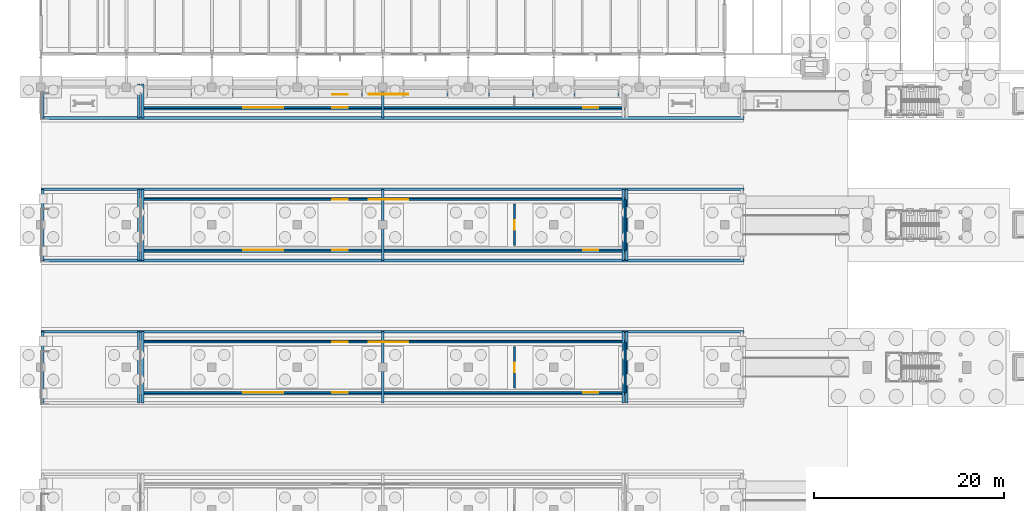
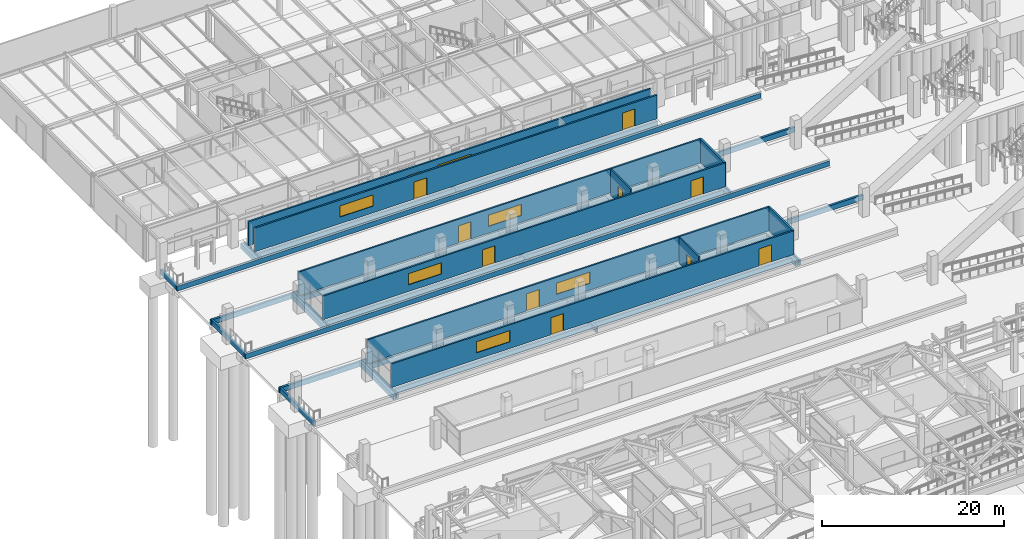
# One storey, part 102 of 160: 35 walls, 11 doors, 6 windows, 17 openings.
"""IFC4 building model written with IfcOpenShell, lengths in metres."""

from ifc_helpers import new_model, si_unit, direction, frame, frame_2d, origin, place, context, subcontext, project, spatial, rectangle, extrude, material, layer, layer_set, type_object, element, fill, save


model = new_model("IFC4")

# Units and contexts
model_context = context("Model", 3, precision=1e-05, world=origin(), true_north=direction((0.0, 1.0)))
body_context = subcontext(model_context, "Body", "Model", "MODEL_VIEW")
ifc_project = project(units=[si_unit("LENGTHUNIT", "METRE"), si_unit("AREAUNIT", "SQUARE_METRE"), si_unit("VOLUMEUNIT", "CUBIC_METRE"), si_unit("PLANEANGLEUNIT", "RADIAN"), si_unit("MASSUNIT", "GRAM", prefix="KILO")], contexts=[model_context])

# Site, building, storey
site_placement = place(None, origin())
site = spatial("IfcSite", under=ifc_project, at=site_placement, CompositionType="ELEMENT")
building_placement = place(site_placement, origin())
building = spatial("IfcBuilding", under=site, at=building_placement, Name="Marlcrest Central Station", CompositionType="ELEMENT")
storey_placement = place(building_placement, origin())
storey = spatial("IfcBuildingStorey", under=building, at=storey_placement, Name="L00", CompositionType="ELEMENT", Elevation=0.0)

# Wall, openings, doors, window
ifc_material_1 = material(Name="Concrete C35/45", Category="concrete")
ifc_layer_1 = layer(ifc_material_1, 0.2099609375, Name="EW-08")
ifc_layer_set_1 = layer_set([ifc_layer_1], Name="Concrete C35/45")
wall_type_1 = type_object("IfcWallType", Name="EW-08", PredefinedType="SOLIDWALL", material=ifc_layer_set_1)
wall_1_placement = place(storey_placement, frame((61.5, 63.35009765625, 0.9150390625), z_axis=(0.0, 0.0, 1.0), x_axis=(-1.0, 0.0, 0.0)))
wall_1 = element("IfcWall", 1, at=wall_1_placement, inside=storey, type_object=wall_type_1, Name="ewall-L00-0227", PredefinedType="SOLIDWALL", context=body_context, shape_type="SweptSolid", body=[
    extrude(rectangle(XDim=51.0, YDim=0.2099609375, at=frame_2d((25.5, 0.0))), origin(), (0.0, 0.0, 1.0), 3.18505859375),
])
opening_1_placement = place(wall_1_placement, frame((29.199951171875, 0.0, 0.0)))
opening_1 = element("IfcOpeningElement", 2, at=opening_1_placement, cuts=wall_1, Name="Opening ED-05", PredefinedType="OPENING", context=body_context, shape_type="SweptSolid", body=[
    extrude(rectangle(XDim=1.60009765625, YDim=2.300048828125, at=frame_2d((0.800048828125, 1.14990234375))), frame((0.0, 0.114990234375, 0.0), z_axis=(0.0, -1.0, 0.0), x_axis=(1.0, 0.0, 0.0)), (0.0, 0.0, 1.0), 0.22998046875),
])
opening_2_placement = place(wall_1_placement, frame((2.800048828125, 0.0, 0.0)))
opening_2 = element("IfcOpeningElement", 3, at=opening_2_placement, cuts=wall_1, Name="Opening ED-05", PredefinedType="OPENING", context=body_context, shape_type="SweptSolid", body=[
    extrude(rectangle(XDim=1.60009765625, YDim=2.300048828125, at=frame_2d((0.800048828125, 1.14990234375))), frame((0.0, 0.114990234375, 0.0), z_axis=(0.0, -1.0, 0.0), x_axis=(1.0, 0.0, 0.0)), (0.0, 0.0, 1.0), 0.22998046875),
])
opening_3_placement = place(wall_1_placement, frame((36.0, 0.0, 0.89990234375)))
opening_3 = element("IfcOpeningElement", 4, at=opening_3_placement, cuts=wall_1, Name="Opening WN-12", PredefinedType="OPENING", context=body_context, shape_type="SweptSolid", body=[
    extrude(rectangle(XDim=4.199951171875, YDim=1.5, at=frame_2d((2.10009765625, 0.75))), frame((0.0, 0.114990234375, 0.0), z_axis=(0.0, -1.0, 0.0), x_axis=(1.0, 0.0, 0.0)), (0.0, 0.0, 1.0), 0.22998046875),
])
ifc_material_2 = material(Name="Thermally broken anodised aluminium and laminated safety glass", Category="aluminium")
door_type_1 = type_object("IfcDoorType", Name="ED-05", OperationType="DOUBLE_DOOR_SINGLE_SWING", PredefinedType="DOOR", material=ifc_material_2)
door_1_placement = place(opening_1_placement, origin())
door_1 = element("IfcDoor", 5, at=door_1_placement, inside=storey, type_object=door_type_1, Name="Platform 3 W South Lounge Door 057", OperationType="DOUBLE_DOOR_SINGLE_SWING", OverallHeight=2.300048828125, OverallWidth=1.60009765625, PredefinedType="DOOR", context=body_context, shape_type="SweptSolid", body=[
    extrude(rectangle(XDim=1.60009765625, YDim=2.300048828125, at=frame_2d((0.800048828125, 1.14990234375))), frame((0.0, 0.02490234375, 0.0), z_axis=(0.0, -1.0, 0.0), x_axis=(1.0, 0.0, 0.0)), (0.0, 0.0, 1.0), 0.050048828125),
])
fill(opening_1, door_1)
door_2_placement = place(opening_2_placement, origin())
door_2 = element("IfcDoor", 6, at=door_2_placement, inside=storey, type_object=door_type_1, Name="Platform 3 W Pod Door 058", OperationType="DOUBLE_DOOR_SINGLE_SWING", OverallHeight=2.300048828125, OverallWidth=1.60009765625, PredefinedType="DOOR", context=body_context, shape_type="SweptSolid", body=[
    extrude(rectangle(XDim=1.60009765625, YDim=2.300048828125, at=frame_2d((0.800048828125, 1.14990234375))), frame((0.0, 0.02490234375, 0.0), z_axis=(0.0, -1.0, 0.0), x_axis=(1.0, 0.0, 0.0)), (0.0, 0.0, 1.0), 0.050048828125),
])
fill(opening_2, door_2)
ifc_material_3 = material(Name="Thermally broken bronze-anodised aluminium and laminated low-E glass", Category="aluminium")
window_type = type_object("IfcWindowType", Name="WN-12", PartitioningType="SINGLE_PANEL", PredefinedType="WINDOW", material=ifc_material_3)
window_1_placement = place(opening_3_placement, origin())
window_1 = element("IfcWindow", 7, at=window_1_placement, inside=storey, type_object=window_type, Name="ewin-L00-0176", OverallHeight=1.5, OverallWidth=4.199951171875, PartitioningType="SINGLE_PANEL", PredefinedType="WINDOW", context=body_context, shape_type="SweptSolid", body=[
    extrude(rectangle(XDim=4.199951171875, YDim=1.5, at=frame_2d((2.10009765625, 0.75))), frame((0.0, 0.030029296875, 0.0), z_axis=(0.0, -1.0, 0.0), x_axis=(1.0, 0.0, 0.0)), (0.0, 0.0, 1.0), 0.06005859375),
])
fill(opening_3, window_1)

# Wall, openings, door, window
wall_2_placement = place(storey_placement, frame((10.5, 68.64990234375, 0.9150390625), z_axis=(0.0, 0.0, 1.0), x_axis=(1.0, 0.0, 0.0)))
wall_2 = element("IfcWall", 8, at=wall_2_placement, inside=storey, type_object=wall_type_1, Name="ewall-L00-0228", PredefinedType="SOLIDWALL", context=body_context, shape_type="SweptSolid", body=[
    extrude(rectangle(XDim=51.0, YDim=0.2099609375, at=frame_2d((25.5, 0.0))), origin(), (0.0, 0.0, 1.0), 3.18505859375),
])
opening_4_placement = place(wall_2_placement, frame((20.199951171875, 0.0, 0.0)))
opening_4 = element("IfcOpeningElement", 9, at=opening_4_placement, cuts=wall_2, Name="Opening ED-05", PredefinedType="OPENING", context=body_context, shape_type="SweptSolid", body=[
    extrude(rectangle(XDim=1.60009765625, YDim=2.300048828125, at=frame_2d((0.800048828125, 1.14990234375))), frame((0.0, 0.114990234375, 0.0), z_axis=(0.0, -1.0, 0.0), x_axis=(1.0, 0.0, 0.0)), (0.0, 0.0, 1.0), 0.22998046875),
])
opening_5_placement = place(wall_2_placement, frame((24.0, 0.0, 0.89990234375)))
opening_5 = element("IfcOpeningElement", 10, at=opening_5_placement, cuts=wall_2, Name="Opening WN-12", PredefinedType="OPENING", context=body_context, shape_type="SweptSolid", body=[
    extrude(rectangle(XDim=4.199951171875, YDim=1.5, at=frame_2d((2.10009765625, 0.75))), frame((0.0, 0.114990234375, 0.0), z_axis=(0.0, -1.0, 0.0), x_axis=(1.0, 0.0, 0.0)), (0.0, 0.0, 1.0), 0.22998046875),
])
door_3_placement = place(opening_4_placement, origin())
door_3 = element("IfcDoor", 11, at=door_3_placement, inside=storey, type_object=door_type_1, Name="Platform 3 W North Lounge Door 059", OperationType="DOUBLE_DOOR_SINGLE_SWING", OverallHeight=2.300048828125, OverallWidth=1.60009765625, PredefinedType="DOOR", context=body_context, shape_type="SweptSolid", body=[
    extrude(rectangle(XDim=1.60009765625, YDim=2.300048828125, at=frame_2d((0.800048828125, 1.14990234375))), frame((0.0, 0.02490234375, 0.0), z_axis=(0.0, -1.0, 0.0), x_axis=(1.0, 0.0, 0.0)), (0.0, 0.0, 1.0), 0.050048828125),
])
fill(opening_4, door_3)
window_2_placement = place(opening_5_placement, origin())
window_2 = element("IfcWindow", 12, at=window_2_placement, inside=storey, type_object=window_type, Name="ewin-L00-0177", OverallHeight=1.5, OverallWidth=4.199951171875, PartitioningType="SINGLE_PANEL", PredefinedType="WINDOW", context=body_context, shape_type="SweptSolid", body=[
    extrude(rectangle(XDim=4.199951171875, YDim=1.5, at=frame_2d((2.10009765625, 0.75))), frame((0.0, 0.030029296875, 0.0), z_axis=(0.0, -1.0, 0.0), x_axis=(1.0, 0.0, 0.0)), (0.0, 0.0, 1.0), 0.06005859375),
])
fill(opening_5, window_2)

# Wall
wall_3_placement = place(storey_placement, frame((61.5, 68.64990234375, 0.9150390625), z_axis=(0.0, 0.0, 1.0), x_axis=(0.0, -1.0, 0.0)))
element("IfcWall", 13, at=wall_3_placement, inside=storey, type_object=wall_type_1, Name="ewall-L00-0229", PredefinedType="SOLIDWALL", context=body_context, shape_type="SweptSolid", body=[
    extrude(rectangle(XDim=5.2998046875, YDim=0.2099609375, at=frame_2d((2.64990234375, 0.0))), origin(), (0.0, 0.0, 1.0), 3.18505859375),
])

# Wall, openings, doors, window
wall_4_placement = place(storey_placement, frame((61.5, 78.35009765625, 0.9150390625), z_axis=(0.0, 0.0, 1.0), x_axis=(-1.0, 0.0, 0.0)))
wall_4 = element("IfcWall", 14, at=wall_4_placement, inside=storey, type_object=wall_type_1, Name="ewall-L00-0233", PredefinedType="SOLIDWALL", context=body_context, shape_type="SweptSolid", body=[
    extrude(rectangle(XDim=51.0, YDim=0.2099609375, at=frame_2d((25.5, 0.0))), origin(), (0.0, 0.0, 1.0), 3.18505859375),
])
opening_6_placement = place(wall_4_placement, frame((29.199951171875, 0.0, 0.0)))
opening_6 = element("IfcOpeningElement", 15, at=opening_6_placement, cuts=wall_4, Name="Opening ED-05", PredefinedType="OPENING", context=body_context, shape_type="SweptSolid", body=[
    extrude(rectangle(XDim=1.60009765625, YDim=2.300048828125, at=frame_2d((0.800048828125, 1.14990234375))), frame((0.0, 0.114990234375, 0.0), z_axis=(0.0, -1.0, 0.0), x_axis=(1.0, 0.0, 0.0)), (0.0, 0.0, 1.0), 0.22998046875),
])
opening_7_placement = place(wall_4_placement, frame((2.800048828125, 0.0, 0.0)))
opening_7 = element("IfcOpeningElement", 16, at=opening_7_placement, cuts=wall_4, Name="Opening ED-05", PredefinedType="OPENING", context=body_context, shape_type="SweptSolid", body=[
    extrude(rectangle(XDim=1.60009765625, YDim=2.300048828125, at=frame_2d((0.800048828125, 1.14990234375))), frame((0.0, 0.114990234375, 0.0), z_axis=(0.0, -1.0, 0.0), x_axis=(1.0, 0.0, 0.0)), (0.0, 0.0, 1.0), 0.22998046875),
])
opening_8_placement = place(wall_4_placement, frame((36.0, 0.0, 0.89990234375)))
opening_8 = element("IfcOpeningElement", 17, at=opening_8_placement, cuts=wall_4, Name="Opening WN-12", PredefinedType="OPENING", context=body_context, shape_type="SweptSolid", body=[
    extrude(rectangle(XDim=4.199951171875, YDim=1.5, at=frame_2d((2.10009765625, 0.75))), frame((0.0, 0.114990234375, 0.0), z_axis=(0.0, -1.0, 0.0), x_axis=(1.0, 0.0, 0.0)), (0.0, 0.0, 1.0), 0.22998046875),
])
door_4_placement = place(opening_6_placement, origin())
door_4 = element("IfcDoor", 18, at=door_4_placement, inside=storey, type_object=door_type_1, Name="Platform 4 W South Lounge Door 063", OperationType="DOUBLE_DOOR_SINGLE_SWING", OverallHeight=2.300048828125, OverallWidth=1.60009765625, PredefinedType="DOOR", context=body_context, shape_type="SweptSolid", body=[
    extrude(rectangle(XDim=1.60009765625, YDim=2.300048828125, at=frame_2d((0.800048828125, 1.14990234375))), frame((0.0, 0.02490234375, 0.0), z_axis=(0.0, -1.0, 0.0), x_axis=(1.0, 0.0, 0.0)), (0.0, 0.0, 1.0), 0.050048828125),
])
fill(opening_6, door_4)
door_5_placement = place(opening_7_placement, origin())
door_5 = element("IfcDoor", 19, at=door_5_placement, inside=storey, type_object=door_type_1, Name="Platform 4 W Pod Door 064", OperationType="DOUBLE_DOOR_SINGLE_SWING", OverallHeight=2.300048828125, OverallWidth=1.60009765625, PredefinedType="DOOR", context=body_context, shape_type="SweptSolid", body=[
    extrude(rectangle(XDim=1.60009765625, YDim=2.300048828125, at=frame_2d((0.800048828125, 1.14990234375))), frame((0.0, 0.02490234375, 0.0), z_axis=(0.0, -1.0, 0.0), x_axis=(1.0, 0.0, 0.0)), (0.0, 0.0, 1.0), 0.050048828125),
])
fill(opening_7, door_5)
window_3_placement = place(opening_8_placement, origin())
window_3 = element("IfcWindow", 20, at=window_3_placement, inside=storey, type_object=window_type, Name="ewin-L00-0180", OverallHeight=1.5, OverallWidth=4.199951171875, PartitioningType="SINGLE_PANEL", PredefinedType="WINDOW", context=body_context, shape_type="SweptSolid", body=[
    extrude(rectangle(XDim=4.199951171875, YDim=1.5, at=frame_2d((2.10009765625, 0.75))), frame((0.0, 0.030029296875, 0.0), z_axis=(0.0, -1.0, 0.0), x_axis=(1.0, 0.0, 0.0)), (0.0, 0.0, 1.0), 0.06005859375),
])
fill(opening_8, window_3)

# Wall, openings, door, window
wall_5_placement = place(storey_placement, frame((10.5, 83.64990234375, 0.9150390625), z_axis=(0.0, 0.0, 1.0), x_axis=(1.0, 0.0, 0.0)))
wall_5 = element("IfcWall", 21, at=wall_5_placement, inside=storey, type_object=wall_type_1, Name="ewall-L00-0234", PredefinedType="SOLIDWALL", context=body_context, shape_type="SweptSolid", body=[
    extrude(rectangle(XDim=51.0, YDim=0.2099609375, at=frame_2d((25.5, 0.0))), origin(), (0.0, 0.0, 1.0), 3.18505859375),
])
opening_9_placement = place(wall_5_placement, frame((20.199951171875, 0.0, 0.0)))
opening_9 = element("IfcOpeningElement", 22, at=opening_9_placement, cuts=wall_5, Name="Opening ED-05", PredefinedType="OPENING", context=body_context, shape_type="SweptSolid", body=[
    extrude(rectangle(XDim=1.60009765625, YDim=2.300048828125, at=frame_2d((0.800048828125, 1.14990234375))), frame((0.0, 0.114990234375, 0.0), z_axis=(0.0, -1.0, 0.0), x_axis=(1.0, 0.0, 0.0)), (0.0, 0.0, 1.0), 0.22998046875),
])
opening_10_placement = place(wall_5_placement, frame((24.0, 0.0, 0.89990234375)))
opening_10 = element("IfcOpeningElement", 23, at=opening_10_placement, cuts=wall_5, Name="Opening WN-12", PredefinedType="OPENING", context=body_context, shape_type="SweptSolid", body=[
    extrude(rectangle(XDim=4.199951171875, YDim=1.5, at=frame_2d((2.10009765625, 0.75))), frame((0.0, 0.114990234375, 0.0), z_axis=(0.0, -1.0, 0.0), x_axis=(1.0, 0.0, 0.0)), (0.0, 0.0, 1.0), 0.22998046875),
])
door_6_placement = place(opening_9_placement, origin())
door_6 = element("IfcDoor", 24, at=door_6_placement, inside=storey, type_object=door_type_1, Name="Platform 4 W North Lounge Door 065", OperationType="DOUBLE_DOOR_SINGLE_SWING", OverallHeight=2.300048828125, OverallWidth=1.60009765625, PredefinedType="DOOR", context=body_context, shape_type="SweptSolid", body=[
    extrude(rectangle(XDim=1.60009765625, YDim=2.300048828125, at=frame_2d((0.800048828125, 1.14990234375))), frame((0.0, 0.02490234375, 0.0), z_axis=(0.0, -1.0, 0.0), x_axis=(1.0, 0.0, 0.0)), (0.0, 0.0, 1.0), 0.050048828125),
])
fill(opening_9, door_6)
window_4_placement = place(opening_10_placement, origin())
window_4 = element("IfcWindow", 25, at=window_4_placement, inside=storey, type_object=window_type, Name="ewin-L00-0181", OverallHeight=1.5, OverallWidth=4.199951171875, PartitioningType="SINGLE_PANEL", PredefinedType="WINDOW", context=body_context, shape_type="SweptSolid", body=[
    extrude(rectangle(XDim=4.199951171875, YDim=1.5, at=frame_2d((2.10009765625, 0.75))), frame((0.0, 0.030029296875, 0.0), z_axis=(0.0, -1.0, 0.0), x_axis=(1.0, 0.0, 0.0)), (0.0, 0.0, 1.0), 0.06005859375),
])
fill(opening_10, window_4)

# Wall
wall_6_placement = place(storey_placement, frame((61.5, 83.64990234375, 0.9150390625), z_axis=(0.0, 0.0, 1.0), x_axis=(0.0, -1.0, 0.0)))
element("IfcWall", 26, at=wall_6_placement, inside=storey, type_object=wall_type_1, Name="ewall-L00-0235", PredefinedType="SOLIDWALL", context=body_context, shape_type="SweptSolid", body=[
    extrude(rectangle(XDim=5.2998046875, YDim=0.2099609375, at=frame_2d((2.64990234375, 0.0))), origin(), (0.0, 0.0, 1.0), 3.18505859375),
])

# Wall, openings, doors, window
wall_7_placement = place(storey_placement, frame((61.5, 93.35009765625, 0.9150390625), z_axis=(0.0, 0.0, 1.0), x_axis=(-1.0, 0.0, 0.0)))
wall_7 = element("IfcWall", 27, at=wall_7_placement, inside=storey, type_object=wall_type_1, Name="ewall-L00-0239", PredefinedType="SOLIDWALL", context=body_context, shape_type="SweptSolid", body=[
    extrude(rectangle(XDim=51.0, YDim=0.2099609375, at=frame_2d((25.5, 0.0))), origin(), (0.0, 0.0, 1.0), 3.18505859375),
])
opening_11_placement = place(wall_7_placement, frame((29.199951171875, 0.0, 0.0)))
opening_11 = element("IfcOpeningElement", 28, at=opening_11_placement, cuts=wall_7, Name="Opening ED-05", PredefinedType="OPENING", context=body_context, shape_type="SweptSolid", body=[
    extrude(rectangle(XDim=1.60009765625, YDim=2.300048828125, at=frame_2d((0.800048828125, 1.14990234375))), frame((0.0, 0.114990234375, 0.0), z_axis=(0.0, -1.0, 0.0), x_axis=(1.0, 0.0, 0.0)), (0.0, 0.0, 1.0), 0.22998046875),
])
opening_12_placement = place(wall_7_placement, frame((2.800048828125, 0.0, 0.0)))
opening_12 = element("IfcOpeningElement", 29, at=opening_12_placement, cuts=wall_7, Name="Opening ED-05", PredefinedType="OPENING", context=body_context, shape_type="SweptSolid", body=[
    extrude(rectangle(XDim=1.60009765625, YDim=2.300048828125, at=frame_2d((0.800048828125, 1.14990234375))), frame((0.0, 0.114990234375, 0.0), z_axis=(0.0, -1.0, 0.0), x_axis=(1.0, 0.0, 0.0)), (0.0, 0.0, 1.0), 0.22998046875),
])
opening_13_placement = place(wall_7_placement, frame((36.0, 0.0, 0.89990234375)))
opening_13 = element("IfcOpeningElement", 30, at=opening_13_placement, cuts=wall_7, Name="Opening WN-12", PredefinedType="OPENING", context=body_context, shape_type="SweptSolid", body=[
    extrude(rectangle(XDim=4.199951171875, YDim=1.5, at=frame_2d((2.10009765625, 0.75))), frame((0.0, 0.114990234375, 0.0), z_axis=(0.0, -1.0, 0.0), x_axis=(1.0, 0.0, 0.0)), (0.0, 0.0, 1.0), 0.22998046875),
])
door_7_placement = place(opening_11_placement, origin())
door_7 = element("IfcDoor", 31, at=door_7_placement, inside=storey, type_object=door_type_1, Name="Platform 5 W South Lounge Door 069", OperationType="DOUBLE_DOOR_SINGLE_SWING", OverallHeight=2.300048828125, OverallWidth=1.60009765625, PredefinedType="DOOR", context=body_context, shape_type="SweptSolid", body=[
    extrude(rectangle(XDim=1.60009765625, YDim=2.300048828125, at=frame_2d((0.800048828125, 1.14990234375))), frame((0.0, 0.02490234375, 0.0), z_axis=(0.0, -1.0, 0.0), x_axis=(1.0, 0.0, 0.0)), (0.0, 0.0, 1.0), 0.050048828125),
])
fill(opening_11, door_7)
door_8_placement = place(opening_12_placement, origin())
door_8 = element("IfcDoor", 32, at=door_8_placement, inside=storey, type_object=door_type_1, Name="Platform 5 W Pod Door 070", OperationType="DOUBLE_DOOR_SINGLE_SWING", OverallHeight=2.300048828125, OverallWidth=1.60009765625, PredefinedType="DOOR", context=body_context, shape_type="SweptSolid", body=[
    extrude(rectangle(XDim=1.60009765625, YDim=2.300048828125, at=frame_2d((0.800048828125, 1.14990234375))), frame((0.0, 0.02490234375, 0.0), z_axis=(0.0, -1.0, 0.0), x_axis=(1.0, 0.0, 0.0)), (0.0, 0.0, 1.0), 0.050048828125),
])
fill(opening_12, door_8)
window_5_placement = place(opening_13_placement, origin())
window_5 = element("IfcWindow", 33, at=window_5_placement, inside=storey, type_object=window_type, Name="ewin-L00-0184", OverallHeight=1.5, OverallWidth=4.199951171875, PartitioningType="SINGLE_PANEL", PredefinedType="WINDOW", context=body_context, shape_type="SweptSolid", body=[
    extrude(rectangle(XDim=4.199951171875, YDim=1.5, at=frame_2d((2.10009765625, 0.75))), frame((0.0, 0.030029296875, 0.0), z_axis=(0.0, -1.0, 0.0), x_axis=(1.0, 0.0, 0.0)), (0.0, 0.0, 1.0), 0.06005859375),
])
fill(opening_13, window_5)

# Wall, openings, door, window
wall_8_placement = place(storey_placement, frame((10.5, 94.75, 0.9150390625), z_axis=(0.0, 0.0, 1.0), x_axis=(1.0, 0.0, 0.0)))
wall_8 = element("IfcWall", 34, at=wall_8_placement, inside=storey, type_object=wall_type_1, Name="ewall-L00-0240", PredefinedType="SOLIDWALL", context=body_context, shape_type="SweptSolid", body=[
    extrude(rectangle(XDim=51.0, YDim=0.2099609375, at=frame_2d((25.5, 0.0))), origin(), (0.0, 0.0, 1.0), 3.18505859375),
])
opening_14_placement = place(wall_8_placement, frame((20.199951171875, 0.0, 0.0)))
opening_14 = element("IfcOpeningElement", 35, at=opening_14_placement, cuts=wall_8, Name="Opening ED-05", PredefinedType="OPENING", context=body_context, shape_type="SweptSolid", body=[
    extrude(rectangle(XDim=1.60009765625, YDim=2.300048828125, at=frame_2d((0.800048828125, 1.14990234375))), frame((0.0, 0.114990234375, 0.0), z_axis=(0.0, -1.0, 0.0), x_axis=(1.0, 0.0, 0.0)), (0.0, 0.0, 1.0), 0.22998046875),
])
opening_15_placement = place(wall_8_placement, frame((24.0, 0.0, 0.89990234375)))
opening_15 = element("IfcOpeningElement", 36, at=opening_15_placement, cuts=wall_8, Name="Opening WN-12", PredefinedType="OPENING", context=body_context, shape_type="SweptSolid", body=[
    extrude(rectangle(XDim=4.199951171875, YDim=1.5, at=frame_2d((2.10009765625, 0.75))), frame((0.0, 0.114990234375, 0.0), z_axis=(0.0, -1.0, 0.0), x_axis=(1.0, 0.0, 0.0)), (0.0, 0.0, 1.0), 0.22998046875),
])
door_9_placement = place(opening_14_placement, origin())
door_9 = element("IfcDoor", 37, at=door_9_placement, inside=storey, type_object=door_type_1, Name="Platform 5 W North Lounge Door 071", OperationType="DOUBLE_DOOR_SINGLE_SWING", OverallHeight=2.300048828125, OverallWidth=1.60009765625, PredefinedType="DOOR", context=body_context, shape_type="SweptSolid", body=[
    extrude(rectangle(XDim=1.60009765625, YDim=2.300048828125, at=frame_2d((0.800048828125, 1.14990234375))), frame((0.0, 0.02490234375, 0.0), z_axis=(0.0, -1.0, 0.0), x_axis=(1.0, 0.0, 0.0)), (0.0, 0.0, 1.0), 0.050048828125),
])
fill(opening_14, door_9)
window_6_placement = place(opening_15_placement, origin())
window_6 = element("IfcWindow", 38, at=window_6_placement, inside=storey, type_object=window_type, Name="ewin-L00-0185", OverallHeight=1.5, OverallWidth=4.199951171875, PartitioningType="SINGLE_PANEL", PredefinedType="WINDOW", context=body_context, shape_type="SweptSolid", body=[
    extrude(rectangle(XDim=4.199951171875, YDim=1.5, at=frame_2d((2.10009765625, 0.75))), frame((0.0, 0.030029296875, 0.0), z_axis=(0.0, -1.0, 0.0), x_axis=(1.0, 0.0, 0.0)), (0.0, 0.0, 1.0), 0.06005859375),
])
fill(opening_15, window_6)

# Wall, opening, door
ifc_material_4 = material(Name="Fire-rated corridor blockwork partition", Category="masonry")
ifc_layer_2 = layer(ifc_material_4, 0.179931640625, Name="PT-04")
ifc_layer_set_2 = layer_set([ifc_layer_2], Name="Fire-rated corridor blockwork partition")
wall_type_2 = type_object("IfcWallType", Name="PT-04", PredefinedType="PARTITIONING", material=ifc_layer_set_2)
wall_9_placement = place(storey_placement, frame((49.860107421875, 63.830078125, 0.9150390625), z_axis=(0.0, 0.0, 1.0), x_axis=(0.0, 1.0, 0.0)))
wall_9 = element("IfcWall", 39, at=wall_9_placement, inside=storey, type_object=wall_type_2, Name="iwall-L00-00022", PredefinedType="PARTITIONING", context=body_context, shape_type="SweptSolid", body=[
    extrude(rectangle(XDim=4.33984375, YDim=0.179931640625, at=frame_2d((2.169921875, 0.0))), origin(), (0.0, 0.0, 1.0), 3.43505859375),
])
opening_16_placement = place(wall_9_placement, frame((1.669921875, 0.0, 0.0)))
opening_16 = element("IfcOpeningElement", 40, at=opening_16_placement, cuts=wall_9, Name="Opening ID-02", PredefinedType="OPENING", context=body_context, shape_type="SweptSolid", body=[
    extrude(rectangle(XDim=1.0, YDim=2.14990234375, at=frame_2d((0.5, 1.074951171875))), frame((0.0, 0.099853515625, 0.0), z_axis=(0.0, -1.0, 0.0), x_axis=(1.0, 0.0, 0.0)), (0.0, 0.0, 1.0), 0.199951171875),
])
ifc_material_5 = material(Name="Solid-core hardwood office door", Category="wood")
door_type_2 = type_object("IfcDoorType", Name="ID-02", OperationType="NOTDEFINED", PredefinedType="DOOR", material=ifc_material_5)
door_10_placement = place(opening_16_placement, origin())
door_10 = element("IfcDoor", 41, at=door_10_placement, inside=storey, type_object=door_type_2, Name="L00-PD3 0014", OperationType="SINGLE_SWING_LEFT", OverallHeight=2.14990234375, OverallWidth=1.0, PredefinedType="DOOR", context=body_context, shape_type="SweptSolid", body=[
    extrude(rectangle(XDim=1.0, YDim=2.14990234375, at=frame_2d((0.5, 1.074951171875))), frame((0.0, 0.02490234375, 0.0), z_axis=(0.0, -1.0, 0.0), x_axis=(1.0, 0.0, 0.0)), (0.0, 0.0, 1.0), 0.050048828125),
])
fill(opening_16, door_10)

wall_10_placement = place(storey_placement, frame((49.860107421875, 78.830078125, 0.9150390625), z_axis=(0.0, 0.0, 1.0), x_axis=(0.0, 1.0, 0.0)))
wall_10 = element("IfcWall", 42, at=wall_10_placement, inside=storey, type_object=wall_type_2, Name="iwall-L00-00024", PredefinedType="PARTITIONING", context=body_context, shape_type="SweptSolid", body=[
    extrude(rectangle(XDim=4.33984375, YDim=0.179931640625, at=frame_2d((2.169921875, 0.0))), origin(), (0.0, 0.0, 1.0), 3.43505859375),
])
opening_17_placement = place(wall_10_placement, frame((1.669921875, 0.0, 0.0)))
opening_17 = element("IfcOpeningElement", 43, at=opening_17_placement, cuts=wall_10, Name="Opening ID-02", PredefinedType="OPENING", context=body_context, shape_type="SweptSolid", body=[
    extrude(rectangle(XDim=1.0, YDim=2.14990234375, at=frame_2d((0.5, 1.074951171875))), frame((0.0, 0.099853515625, 0.0), z_axis=(0.0, -1.0, 0.0), x_axis=(1.0, 0.0, 0.0)), (0.0, 0.0, 1.0), 0.199951171875),
])
door_11_placement = place(opening_17_placement, origin())
door_11 = element("IfcDoor", 44, at=door_11_placement, inside=storey, type_object=door_type_2, Name="L00-PD4 0016", OperationType="SINGLE_SWING_LEFT", OverallHeight=2.14990234375, OverallWidth=1.0, PredefinedType="DOOR", context=body_context, shape_type="SweptSolid", body=[
    extrude(rectangle(XDim=1.0, YDim=2.14990234375, at=frame_2d((0.5, 1.074951171875))), frame((0.0, 0.02490234375, 0.0), z_axis=(0.0, -1.0, 0.0), x_axis=(1.0, 0.0, 0.0)), (0.0, 0.0, 1.0), 0.050048828125),
])
fill(opening_17, door_11)

# Walls
ifc_layer_3 = layer(ifc_material_1, 0.27490234375, Name="PW-01")
ifc_layer_set_3 = layer_set([ifc_layer_3], Name="Concrete C35/45")
wall_type_3 = type_object("IfcWallType", Name="PW-01", PredefinedType="SOLIDWALL", material=ifc_layer_set_3)
wall_11_placement = place(storey_placement, frame((0.0, 69.75, 0.0), z_axis=(0.0, 0.0, 1.0), x_axis=(1.0, 0.0, 0.0)))
element("IfcWall", 45, at=wall_11_placement, inside=storey, type_object=wall_type_3, Name="swall-L00-0100", PredefinedType="SOLIDWALL", context=body_context, shape_type="SweptSolid", body=[
    extrude(rectangle(XDim=74.0, YDim=0.27490234375, at=frame_2d((37.0, 0.0))), origin(), (0.0, 0.0, 1.0), 0.675048828125),
])
for number, where, z_axis, x_axis, name in (
    (46, (10.5, 63.25, 0.0), (0.0, 0.0, 1.0), (1.0, 0.0, 0.0), "swall-L00-0101"),
    (47, (10.5, 68.75, 0.0), (0.0, 0.0, 1.0), (1.0, 0.0, 0.0), "swall-L00-0102"),
):
    element("IfcWall", number, at=place(storey_placement, frame(where, z_axis=z_axis, x_axis=x_axis)), inside=storey, type_object=wall_type_3, Name=name, PredefinedType="SOLIDWALL", context=body_context, shape_type="SweptSolid", body=[
        extrude(rectangle(XDim=51.0, YDim=0.27490234375, at=frame_2d((25.5, 0.0))), origin(), (0.0, 0.0, 1.0), 0.675048828125),
    ])
for number, where, z_axis, x_axis, name in (
    (48, (0.199951171875, 62.25, 0.0), (0.0, 0.0, 1.0), (0.0, 1.0, 0.0), "swall-L00-0103"),
    (49, (10.300048828125, 62.25, 0.0), (0.0, 0.0, 1.0), (0.0, 1.0, 0.0), "swall-L00-0104"),
    (50, (10.699951171875, 62.25, 0.0), (0.0, 0.0, 1.0), (0.0, 1.0, 0.0), "swall-L00-0105"),
    (51, (36.0, 62.25, 0.0), (0.0, 0.0, 1.0), (0.0, 1.0, 0.0), "swall-L00-0106"),
    (52, (61.300048828125, 62.25, 0.0), (0.0, 0.0, 1.0), (0.0, 1.0, 0.0), "swall-L00-0107"),
    (53, (61.699951171875, 62.25, 0.0), (0.0, 0.0, 1.0), (0.0, 1.0, 0.0), "swall-L00-0108"),
):
    element("IfcWall", number, at=place(storey_placement, frame(where, z_axis=z_axis, x_axis=x_axis)), inside=storey, type_object=wall_type_3, Name=name, PredefinedType="SOLIDWALL", context=body_context, shape_type="SweptSolid", body=[
        extrude(rectangle(XDim=7.5, YDim=0.27490234375, at=frame_2d((3.75, 0.0))), origin(), (0.0, 0.0, 1.0), 0.675048828125),
    ])
for number, where, z_axis, x_axis, name in (
    (54, (0.0, 77.25, 0.0), (0.0, 0.0, 1.0), (1.0, 0.0, 0.0), "swall-L00-0121"),
    (55, (0.0, 84.75, 0.0), (0.0, 0.0, 1.0), (1.0, 0.0, 0.0), "swall-L00-0122"),
):
    element("IfcWall", number, at=place(storey_placement, frame(where, z_axis=z_axis, x_axis=x_axis)), inside=storey, type_object=wall_type_3, Name=name, PredefinedType="SOLIDWALL", context=body_context, shape_type="SweptSolid", body=[
        extrude(rectangle(XDim=74.0, YDim=0.27490234375, at=frame_2d((37.0, 0.0))), origin(), (0.0, 0.0, 1.0), 0.675048828125),
    ])
for number, where, z_axis, x_axis, name in (
    (56, (10.5, 78.25, 0.0), (0.0, 0.0, 1.0), (1.0, 0.0, 0.0), "swall-L00-0123"),
    (57, (10.5, 83.75, 0.0), (0.0, 0.0, 1.0), (1.0, 0.0, 0.0), "swall-L00-0124"),
):
    element("IfcWall", number, at=place(storey_placement, frame(where, z_axis=z_axis, x_axis=x_axis)), inside=storey, type_object=wall_type_3, Name=name, PredefinedType="SOLIDWALL", context=body_context, shape_type="SweptSolid", body=[
        extrude(rectangle(XDim=51.0, YDim=0.27490234375, at=frame_2d((25.5, 0.0))), origin(), (0.0, 0.0, 1.0), 0.675048828125),
    ])
for number, where, z_axis, x_axis, name in (
    (58, (0.199951171875, 77.25, 0.0), (0.0, 0.0, 1.0), (0.0, 1.0, 0.0), "swall-L00-0125"),
    (59, (10.300048828125, 77.25, 0.0), (0.0, 0.0, 1.0), (0.0, 1.0, 0.0), "swall-L00-0126"),
    (60, (10.699951171875, 77.25, 0.0), (0.0, 0.0, 1.0), (0.0, 1.0, 0.0), "swall-L00-0127"),
    (61, (36.0, 77.25, 0.0), (0.0, 0.0, 1.0), (0.0, 1.0, 0.0), "swall-L00-0128"),
    (62, (61.300048828125, 77.25, 0.0), (0.0, 0.0, 1.0), (0.0, 1.0, 0.0), "swall-L00-0129"),
    (63, (61.699951171875, 77.25, 0.0), (0.0, 0.0, 1.0), (0.0, 1.0, 0.0), "swall-L00-0130"),
):
    element("IfcWall", number, at=place(storey_placement, frame(where, z_axis=z_axis, x_axis=x_axis)), inside=storey, type_object=wall_type_3, Name=name, PredefinedType="SOLIDWALL", context=body_context, shape_type="SweptSolid", body=[
        extrude(rectangle(XDim=7.5, YDim=0.27490234375, at=frame_2d((3.75, 0.0))), origin(), (0.0, 0.0, 1.0), 0.675048828125),
    ])
wall_12_placement = place(storey_placement, frame((0.0, 92.25, 0.0), z_axis=(0.0, 0.0, 1.0), x_axis=(1.0, 0.0, 0.0)))
element("IfcWall", 64, at=wall_12_placement, inside=storey, type_object=wall_type_3, Name="swall-L00-0143", PredefinedType="SOLIDWALL", context=body_context, shape_type="SweptSolid", body=[
    extrude(rectangle(XDim=74.0, YDim=0.27490234375, at=frame_2d((37.0, 0.0))), origin(), (0.0, 0.0, 1.0), 0.675048828125),
])
wall_13_placement = place(storey_placement, frame((10.5, 93.25, 0.0), z_axis=(0.0, 0.0, 1.0), x_axis=(1.0, 0.0, 0.0)))
element("IfcWall", 65, at=wall_13_placement, inside=storey, type_object=wall_type_3, Name="swall-L00-0145", PredefinedType="SOLIDWALL", context=body_context, shape_type="SweptSolid", body=[
    extrude(rectangle(XDim=51.0, YDim=0.27490234375, at=frame_2d((25.5, 0.0))), origin(), (0.0, 0.0, 1.0), 0.675048828125),
])
for number, where, z_axis, x_axis, name in (
    (66, (0.199951171875, 92.25, 0.0), (0.0, 0.0, 1.0), (0.0, 1.0, 0.0), "swall-L00-0147"),
    (67, (10.300048828125, 92.25, 0.0), (0.0, 0.0, 1.0), (0.0, 1.0, 0.0), "swall-L00-0148"),
    (68, (10.699951171875, 92.25, 0.0), (0.0, 0.0, 1.0), (0.0, 1.0, 0.0), "swall-L00-0149"),
    (69, (36.0, 92.25, 0.0), (0.0, 0.0, 1.0), (0.0, 1.0, 0.0), "swall-L00-0150"),
):
    element("IfcWall", number, at=place(storey_placement, frame(where, z_axis=z_axis, x_axis=x_axis)), inside=storey, type_object=wall_type_3, Name=name, PredefinedType="SOLIDWALL", context=body_context, shape_type="SweptSolid", body=[
        extrude(rectangle(XDim=3.60009765625, YDim=0.27490234375, at=frame_2d((1.800048828125, 0.0))), origin(), (0.0, 0.0, 1.0), 0.675048828125),
    ])

save(model, "model.ifc")
